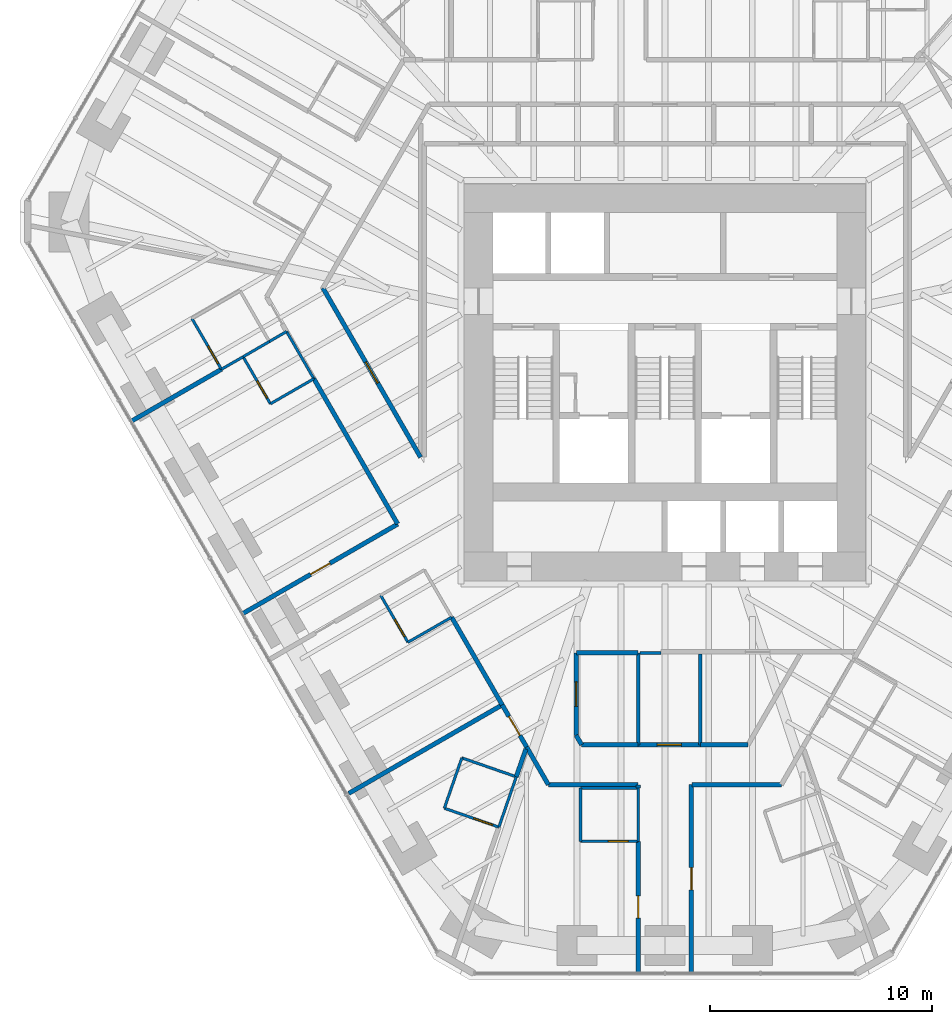
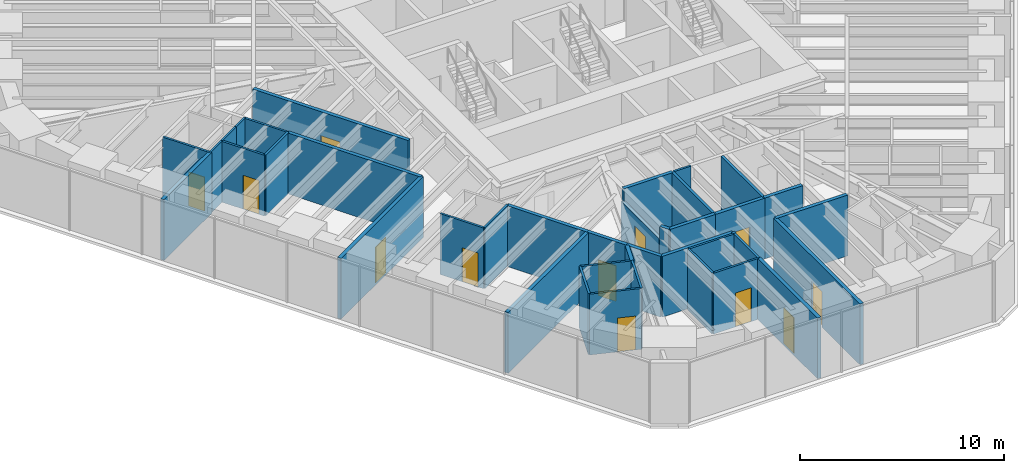
# One storey, part 11 of 17: 40 walls, 12 doors, 12 openings.
"""IFC4 building model written with IfcOpenShell, lengths in metres."""

from ifc_helpers import new_model, si_unit, direction, frame, frame_2d, origin, place, context, subcontext, project, spatial, rectangle, extrude, material, layer, layer_set, type_object, element, fill, save


model = new_model("IFC4")

# Units and contexts
model_context = context("Model", 3, precision=1e-05, world=origin(), true_north=direction((0.0, 1.0)))
body_context = subcontext(model_context, "Body", "Model", "MODEL_VIEW")
ifc_project = project(units=[si_unit("LENGTHUNIT", "METRE"), si_unit("AREAUNIT", "SQUARE_METRE"), si_unit("VOLUMEUNIT", "CUBIC_METRE"), si_unit("PLANEANGLEUNIT", "RADIAN"), si_unit("MASSUNIT", "GRAM", prefix="KILO")], contexts=[model_context])

# Site, building, storey
site_placement = place(None, origin())
site = spatial("IfcSite", under=ifc_project, at=site_placement, CompositionType="ELEMENT")
building_placement = place(site_placement, origin())
building = spatial("IfcBuilding", under=site, at=building_placement, Name="Sandreach Pilgrim Tower", CompositionType="ELEMENT")
storey_placement = place(building_placement, frame((0.0, 0.0, 104.39990234375)))
storey = spatial("IfcBuildingStorey", under=building, at=storey_placement, Name="L25", CompositionType="ELEMENT", Elevation=104.39990234375)

# Walls
ifc_material_1 = material(Name="Gypsum board on steel studs", Category="steel")
ifc_layer_1 = layer(ifc_material_1, 0.14990234375)
ifc_layer_set_1 = layer_set([ifc_layer_1], Name="Back of house wall 150")
wall_type_1 = type_object("IfcWallType", Name="Back of house wall 150", PredefinedType="PARTITIONING", material=ifc_layer_set_1)
wall_1_placement = place(storey_placement, frame((-1.199951171875, -13.75, 0.0), z_axis=(0.0, 0.0, 1.0), x_axis=(0.0, -1.0, 0.0)))
element("IfcWall", 1, at=wall_1_placement, inside=storey, type_object=wall_type_1, Name="Back of house wall L25-082", PredefinedType="PARTITIONING", context=body_context, shape_type="SweptSolid", body=[
    extrude(rectangle(XDim=4.139892578125, YDim=0.14990234375, at=frame_2d((2.06982421875, 0.0))), origin(), (0.0, 0.0, 1.0), 3.64013671875),
])
wall_2_placement = place(storey_placement, frame((1.60009765625, -13.800048828125, 0.0), z_axis=(0.0, 0.0, 1.0), x_axis=(0.0, -1.0, 0.0)))
element("IfcWall", 2, at=wall_2_placement, inside=storey, type_object=wall_type_1, Name="Back of house wall L25-088", PredefinedType="PARTITIONING", context=body_context, shape_type="SweptSolid", body=[
    extrude(rectangle(XDim=4.08984375, YDim=0.14990234375, at=frame_2d((2.044921875, 0.0))), origin(), (0.0, 0.0, 1.0), 3.64013671875),
])

# Wall, opening, door
ifc_material_2 = material(Name="Moisture-resistant gypsum board on steel studs", Category="steel")
ifc_layer_2 = layer(ifc_material_2, 0.1201171875)
ifc_layer_set_2 = layer_set([ifc_layer_2], Name="Bathroom partition 120")
wall_type_2 = type_object("IfcWallType", Name="Bathroom partition 120", PredefinedType="PARTITIONING", material=ifc_layer_set_2)
wall_3_placement = place(storey_placement, frame((-21.320068359375, 1.330078125, 0.0), z_axis=(0.0, 0.0, 1.0), x_axis=(0.502242265546, -0.864726954997, 0.0)))
wall_3 = element("IfcWall", 3, at=wall_3_placement, inside=storey, type_object=wall_type_2, Name="Bathroom partition L25-005", PredefinedType="PARTITIONING", context=body_context, shape_type="SweptSolid", body=[
    extrude(rectangle(XDim=2.648193359375, YDim=0.1201171875, at=frame_2d((1.32421875, 0.0))), origin(), (0.0, 0.0, 1.0), 3.64013671875),
])
opening_1_placement = place(wall_3_placement, frame((1.4482421875, 0.0, 0.0)))
opening_1 = element("IfcOpeningElement", 4, at=opening_1_placement, cuts=wall_3, Name="Opening D09-15B", PredefinedType="OPENING", context=body_context, shape_type="SweptSolid", body=[
    extrude(rectangle(XDim=0.89990234375, YDim=2.030029296875, at=frame_2d((0.449951171875, 1.01513671875))), frame((0.0, 0.06005859375, 0.0), z_axis=(0.0, -1.0, 0.0), x_axis=(1.0, 0.0, 0.0)), (0.0, 0.0, 1.0), 0.1201171875),
])
ifc_material_3 = material(Name="Timber door, steel frame", Category="steel")
door_type_1 = type_object("IfcDoorType", Name="Bathroom door", OperationType="SINGLE_SWING_LEFT", PredefinedType="DOOR", material=ifc_material_3)
door_1_placement = place(opening_1_placement, origin())
door_1 = element("IfcDoor", 5, at=door_1_placement, inside=storey, type_object=door_type_1, Name="Door 2515B", OperationType="SINGLE_SWING_RIGHT", OverallHeight=2.030029296875, OverallWidth=0.89990234375, PredefinedType="DOOR", context=body_context, shape_type="SweptSolid", body=[
    extrude(rectangle(XDim=0.89990234375, YDim=2.030029296875, at=frame_2d((0.449951171875, 1.01513671875))), frame((0.0, 0.02490234375, 0.0), z_axis=(0.0, -1.0, 0.0), x_axis=(1.0, 0.0, 0.0)), (0.0, 0.0, 1.0), 0.050048828125),
])
fill(opening_1, door_1)

# Walls
wall_4_placement = place(storey_placement, frame((-19.988037109375, -0.963623046875, 0.0), z_axis=(0.0, 0.0, 1.0), x_axis=(0.866387145727, 0.49937292049, 0.0)))
element("IfcWall", 6, at=wall_4_placement, inside=storey, type_object=wall_type_2, Name="Bathroom partition L25-006", PredefinedType="PARTITIONING", context=body_context, shape_type="SweptSolid", body=[
    extrude(rectangle(XDim=1.12890625, YDim=0.1201171875, at=frame_2d((0.564453125, 0.0))), origin(), (0.0, 0.0, 1.0), 3.64013671875),
])
wall_5_placement = place(storey_placement, frame((-19.010009765625, -0.39990234375, 0.0), z_axis=(0.0, 0.0, 1.0), x_axis=(0.864425960582, 0.502760140297, 0.0)))
element("IfcWall", 7, at=wall_5_placement, inside=storey, type_object=wall_type_2, Name="Bathroom partition L25-010", PredefinedType="PARTITIONING", context=body_context, shape_type="SweptSolid", body=[
    extrude(rectangle(XDim=1.366943359375, YDim=0.1201171875, at=frame_2d((0.68359375, 0.0))), origin(), (0.0, 0.0, 1.0), 3.64013671875),
])

# Wall, opening, door
wall_6_placement = place(storey_placement, frame((-19.010009765625, -0.39990234375, 0.0), z_axis=(0.0, 0.0, 1.0), x_axis=(0.501813488763, -0.864975850817, 0.0)))
wall_6 = element("IfcWall", 8, at=wall_6_placement, inside=storey, type_object=wall_type_2, Name="Bathroom partition L25-011", PredefinedType="PARTITIONING", context=body_context, shape_type="SweptSolid", body=[
    extrude(rectangle(XDim=2.451171875, YDim=0.1201171875, at=frame_2d((1.2255859375, 0.0))), origin(), (0.0, 0.0, 1.0), 3.64013671875),
])
opening_2_placement = place(wall_6_placement, frame((1.2509765625, 0.0, 0.0)))
opening_2 = element("IfcOpeningElement", 9, at=opening_2_placement, cuts=wall_6, Name="Opening D09-14B", PredefinedType="OPENING", context=body_context, shape_type="SweptSolid", body=[
    extrude(rectangle(XDim=0.89990234375, YDim=2.030029296875, at=frame_2d((0.449951171875, 1.01513671875))), frame((0.0, 0.06005859375, 0.0), z_axis=(0.0, -1.0, 0.0), x_axis=(1.0, 0.0, 0.0)), (0.0, 0.0, 1.0), 0.1201171875),
])
door_2_placement = place(opening_2_placement, origin())
door_2 = element("IfcDoor", 10, at=door_2_placement, inside=storey, type_object=door_type_1, Name="Door 2514B", OperationType="SINGLE_SWING_RIGHT", OverallHeight=2.030029296875, OverallWidth=0.89990234375, PredefinedType="DOOR", context=body_context, shape_type="SweptSolid", body=[
    extrude(rectangle(XDim=0.89990234375, YDim=2.030029296875, at=frame_2d((0.449951171875, 1.01513671875))), frame((0.0, 0.02490234375, 0.0), z_axis=(0.0, -1.0, 0.0), x_axis=(1.0, 0.0, 0.0)), (0.0, 0.0, 1.0), 0.050048828125),
])
fill(opening_2, door_2)

# Walls
wall_7_placement = place(storey_placement, frame((-17.828369140625, 0.287353515625, 0.0), z_axis=(0.0, 0.0, 1.0), x_axis=(0.864446899112, 0.502724137689, 0.0)))
element("IfcWall", 11, at=wall_7_placement, inside=storey, type_object=wall_type_2, Name="Bathroom partition L25-016", PredefinedType="PARTITIONING", context=body_context, shape_type="SweptSolid", body=[
    extrude(rectangle(XDim=0.900390625, YDim=0.1201171875, at=frame_2d((0.4501953125, 0.0))), origin(), (0.0, 0.0, 1.0), 3.64013671875),
])
wall_8_placement = place(storey_placement, frame((-17.780029296875, -2.52001953125, 0.0), z_axis=(0.0, 0.0, 1.0), x_axis=(0.866304131286, 0.49951691875, 0.0)))
element("IfcWall", 12, at=wall_8_placement, inside=storey, type_object=wall_type_2, Name="Bathroom partition L25-018", PredefinedType="PARTITIONING", context=body_context, shape_type="SweptSolid", body=[
    extrude(rectangle(XDim=2.262451171875, YDim=0.1201171875, at=frame_2d((1.13134765625, 0.0))), origin(), (0.0, 0.0, 1.0), 3.64013671875),
])
wall_9_placement = place(storey_placement, frame((-17.05029296875, 0.739990234375, 0.0), z_axis=(0.0, 0.0, 1.0), x_axis=(0.500163488538, -0.865930993055, 0.0)))
element("IfcWall", 13, at=wall_9_placement, inside=storey, type_object=wall_type_2, Name="Bathroom partition L25-022", PredefinedType="PARTITIONING", context=body_context, shape_type="SweptSolid", body=[
    extrude(rectangle(XDim=2.459716796875, YDim=0.1201171875, at=frame_2d((1.22998046875, 0.0))), origin(), (0.0, 0.0, 1.0), 3.64013671875),
])

# Wall, opening, door
wall_10_placement = place(storey_placement, frame((-12.81005859375, -11.14990234375, 0.0), z_axis=(0.0, 0.0, 1.0), x_axis=(0.501813488763, -0.864975850817, 0.0)))
wall_10 = element("IfcWall", 14, at=wall_10_placement, inside=storey, type_object=wall_type_2, Name="Bathroom partition L25-032", PredefinedType="PARTITIONING", context=body_context, shape_type="SweptSolid", body=[
    extrude(rectangle(XDim=2.451171875, YDim=0.1201171875, at=frame_2d((1.2255859375, 0.0))), origin(), (0.0, 0.0, 1.0), 3.64013671875),
])
opening_3_placement = place(wall_10_placement, frame((1.2509765625, 0.0, 0.0)))
opening_3 = element("IfcOpeningElement", 15, at=opening_3_placement, cuts=wall_10, Name="Opening D09-13B", PredefinedType="OPENING", context=body_context, shape_type="SweptSolid", body=[
    extrude(rectangle(XDim=0.89990234375, YDim=2.030029296875, at=frame_2d((0.449951171875, 1.01513671875))), frame((0.0, 0.06005859375, 0.0), z_axis=(0.0, -1.0, 0.0), x_axis=(1.0, 0.0, 0.0)), (0.0, 0.0, 1.0), 0.1201171875),
])
door_3_placement = place(opening_3_placement, origin())
door_3 = element("IfcDoor", 16, at=door_3_placement, inside=storey, type_object=door_type_1, Name="Door 2513B", OperationType="SINGLE_SWING_RIGHT", OverallHeight=2.030029296875, OverallWidth=0.89990234375, PredefinedType="DOOR", context=body_context, shape_type="SweptSolid", body=[
    extrude(rectangle(XDim=0.89990234375, YDim=2.030029296875, at=frame_2d((0.449951171875, 1.01513671875))), frame((0.0, 0.02490234375, 0.0), z_axis=(0.0, -1.0, 0.0), x_axis=(1.0, 0.0, 0.0)), (0.0, 0.0, 1.0), 0.050048828125),
])
fill(opening_3, door_3)

# Wall
wall_11_placement = place(storey_placement, frame((-11.580078125, -13.27001953125, 0.0), z_axis=(0.0, 0.0, 1.0), x_axis=(0.867428373024, 0.497562074192, 0.0)))
element("IfcWall", 17, at=wall_11_placement, inside=storey, type_object=wall_type_2, Name="Bathroom partition L25-039", PredefinedType="PARTITIONING", context=body_context, shape_type="SweptSolid", body=[
    extrude(rectangle(XDim=2.271240234375, YDim=0.1201171875, at=frame_2d((1.1357421875, 0.0))), origin(), (0.0, 0.0, 1.0), 3.64013671875),
])

# Wall, opening, door
wall_12_placement = place(storey_placement, frame((-9.93994140625, -20.75, 0.0), z_axis=(0.0, 0.0, 1.0), x_axis=(0.94515546045, -0.326620813149, 0.0)))
wall_12 = element("IfcWall", 18, at=wall_12_placement, inside=storey, type_object=wall_type_2, Name="Bathroom partition L25-048", PredefinedType="PARTITIONING", context=body_context, shape_type="SweptSolid", body=[
    extrude(rectangle(XDim=2.602783203125, YDim=0.1201171875, at=frame_2d((1.30126953125, 0.0))), origin(), (0.0, 0.0, 1.0), 3.64013671875),
])
opening_4_placement = place(wall_12_placement, frame((1.402587890625, 0.0, 0.0)))
opening_4 = element("IfcOpeningElement", 19, at=opening_4_placement, cuts=wall_12, Name="Opening D09-12B", PredefinedType="OPENING", context=body_context, shape_type="SweptSolid", body=[
    extrude(rectangle(XDim=0.89990234375, YDim=2.030029296875, at=frame_2d((0.449951171875, 1.01513671875))), frame((0.0, 0.06005859375, 0.0), z_axis=(0.0, -1.0, 0.0), x_axis=(1.0, 0.0, 0.0)), (0.0, 0.0, 1.0), 0.1201171875),
])
door_4_placement = place(opening_4_placement, origin())
door_4 = element("IfcDoor", 20, at=door_4_placement, inside=storey, type_object=door_type_1, Name="Door 2512B", OperationType="SINGLE_SWING_RIGHT", OverallHeight=2.030029296875, OverallWidth=0.89990234375, PredefinedType="DOOR", context=body_context, shape_type="SweptSolid", body=[
    extrude(rectangle(XDim=0.89990234375, YDim=2.030029296875, at=frame_2d((0.449951171875, 1.01513671875))), frame((0.0, 0.02490234375, 0.0), z_axis=(0.0, -1.0, 0.0), x_axis=(1.0, 0.0, 0.0)), (0.0, 0.0, 1.0), 0.050048828125),
])
fill(opening_4, door_4)

# Walls
wall_13_placement = place(storey_placement, frame((-9.14990234375, -18.47998046875, 0.0), z_axis=(0.0, 0.0, 1.0), x_axis=(-0.328693963496, -0.944436487203, 0.0)))
element("IfcWall", 21, at=wall_13_placement, inside=storey, type_object=wall_type_2, Name="Bathroom partition L25-053", PredefinedType="PARTITIONING", context=body_context, shape_type="SweptSolid", body=[
    extrude(rectangle(XDim=2.403564453125, YDim=0.1201171875, at=frame_2d((1.20166015625, 0.0))), origin(), (0.0, 0.0, 1.0), 3.64013671875),
])
wall_14_placement = place(storey_placement, frame((-7.47998046875, -21.60009765625, 0.0), z_axis=(0.0, 0.0, 1.0), x_axis=(0.326492166492, 0.945199907543, 0.0)))
element("IfcWall", 22, at=wall_14_placement, inside=storey, type_object=wall_type_2, Name="Bathroom partition L25-054", PredefinedType="PARTITIONING", context=body_context, shape_type="SweptSolid", body=[
    extrude(rectangle(XDim=2.400390625, YDim=0.1201171875, at=frame_2d((1.2001953125, 0.0))), origin(), (0.0, 0.0, 1.0), 3.64013671875),
])
wall_15_placement = place(storey_placement, frame((-6.699951171875, -19.330078125, 0.0), z_axis=(0.0, 0.0, 1.0), x_axis=(-0.944753042377, 0.327782990589, 0.0)))
element("IfcWall", 23, at=wall_15_placement, inside=storey, type_object=wall_type_2, Name="Bathroom partition L25-056", PredefinedType="PARTITIONING", context=body_context, shape_type="SweptSolid", body=[
    extrude(rectangle(XDim=2.593505859375, YDim=0.1201171875, at=frame_2d((1.296875, 0.0))), origin(), (0.0, 0.0, 1.0), 3.64013671875),
])

# Wall, opening, door
wall_16_placement = place(storey_placement, frame((-3.800048828125, -22.239990234375, 0.0), z_axis=(0.0, 0.0, 1.0), x_axis=(1.0, 0.0, 0.0)))
wall_16 = element("IfcWall", 24, at=wall_16_placement, inside=storey, type_object=wall_type_2, Name="Bathroom partition L25-067", PredefinedType="PARTITIONING", context=body_context, shape_type="SweptSolid", body=[
    extrude(rectangle(XDim=2.60009765625, YDim=0.1201171875, at=frame_2d((1.300048828125, 0.0))), origin(), (0.0, 0.0, 1.0), 3.64013671875),
])
opening_5_placement = place(wall_16_placement, frame((1.25, 0.0, 0.0)))
opening_5 = element("IfcOpeningElement", 25, at=opening_5_placement, cuts=wall_16, Name="Opening D09-11B", PredefinedType="OPENING", context=body_context, shape_type="SweptSolid", body=[
    extrude(rectangle(XDim=0.89990234375, YDim=2.030029296875, at=frame_2d((0.449951171875, 1.01513671875))), frame((0.0, 0.06005859375, 0.0), z_axis=(0.0, -1.0, 0.0), x_axis=(1.0, 0.0, 0.0)), (0.0, 0.0, 1.0), 0.1201171875),
])
door_5_placement = place(opening_5_placement, origin())
door_5 = element("IfcDoor", 26, at=door_5_placement, inside=storey, type_object=door_type_1, Name="Door 2511B", OperationType="SINGLE_SWING_RIGHT", OverallHeight=2.030029296875, OverallWidth=0.89990234375, PredefinedType="DOOR", context=body_context, shape_type="SweptSolid", body=[
    extrude(rectangle(XDim=0.89990234375, YDim=2.030029296875, at=frame_2d((0.449951171875, 1.01513671875))), frame((0.0, 0.02490234375, 0.0), z_axis=(0.0, -1.0, 0.0), x_axis=(1.0, 0.0, 0.0)), (0.0, 0.0, 1.0), 0.050048828125),
])
fill(opening_5, door_5)

# Walls
wall_17_placement = place(storey_placement, frame((-3.800048828125, -19.840087890625, 0.0), z_axis=(0.0, 0.0, 1.0), x_axis=(0.0, -1.0, 0.0)))
element("IfcWall", 27, at=wall_17_placement, inside=storey, type_object=wall_type_2, Name="Bathroom partition L25-068", PredefinedType="PARTITIONING", context=body_context, shape_type="SweptSolid", body=[
    extrude(rectangle(XDim=2.39990234375, YDim=0.1201171875, at=frame_2d((1.199951171875, 0.0))), origin(), (0.0, 0.0, 1.0), 3.64013671875),
])
wall_18_placement = place(storey_placement, frame((-1.199951171875, -19.840087890625, 0.0), z_axis=(0.0, 0.0, 1.0), x_axis=(-1.0, 0.0, 0.0)))
element("IfcWall", 28, at=wall_18_placement, inside=storey, type_object=wall_type_2, Name="Bathroom partition L25-078", PredefinedType="PARTITIONING", context=body_context, shape_type="SweptSolid", body=[
    extrude(rectangle(XDim=2.60009765625, YDim=0.1201171875, at=frame_2d((1.300048828125, 0.0))), origin(), (0.0, 0.0, 1.0), 3.64013671875),
])
wall_19_placement = place(storey_placement, frame((-1.199951171875, -19.840087890625, 0.0), z_axis=(0.0, 0.0, 1.0), x_axis=(0.0, -1.0, 0.0)))
element("IfcWall", 29, at=wall_19_placement, inside=storey, type_object=wall_type_2, Name="Bathroom partition L25-079", PredefinedType="PARTITIONING", context=body_context, shape_type="SweptSolid", body=[
    extrude(rectangle(XDim=2.39990234375, YDim=0.1201171875, at=frame_2d((1.199951171875, 0.0))), origin(), (0.0, 0.0, 1.0), 3.64013671875),
])
wall_20_placement = place(storey_placement, frame((-1.125, -13.75, 0.0), z_axis=(0.0, 0.0, 1.0), x_axis=(1.0, 0.0, 0.0)))
element("IfcWall", 30, at=wall_20_placement, inside=storey, type_object=wall_type_2, Name="Bathroom partition L25-083", PredefinedType="PARTITIONING", context=body_context, shape_type="SweptSolid", body=[
    extrude(rectangle(XDim=0.955078125, YDim=0.1201171875, at=frame_2d((0.4775390625, 0.0))), origin(), (0.0, 0.0, 1.0), 3.64013671875),
])

# Wall, opening, door
ifc_material_4 = material(Name="Gypsum board on steel studs, two layers each side", Category="steel")
ifc_layer_3 = layer(ifc_material_4, 0.199951171875)
ifc_layer_set_3 = layer_set([ifc_layer_3], Name="Corridor wall 200")
wall_type_3 = type_object("IfcWallType", Name="Corridor wall 200", PredefinedType="PARTITIONING", material=ifc_layer_set_3)
wall_21_placement = place(storey_placement, frame((-19.02392578125, -11.97509765625, 0.0), z_axis=(0.0, 0.0, 1.0), x_axis=(0.865863907772, 0.500279615034, 0.0)))
wall_21 = element("IfcWall", 31, at=wall_21_placement, inside=storey, type_object=wall_type_3, Name="Corridor wall L25-009", PredefinedType="PARTITIONING", context=body_context, shape_type="SweptSolid", body=[
    extrude(rectangle(XDim=8.06591796875, YDim=0.199951171875, at=frame_2d((4.032958984375, 0.0))), origin(), (0.0, 0.0, 1.0), 3.64013671875),
])
opening_6_placement = place(wall_21_placement, frame((3.532958984375, 0.0, 0.0)))
opening_6 = element("IfcOpeningElement", 32, at=opening_6_placement, cuts=wall_21, Name="Opening D10-14", PredefinedType="OPENING", context=body_context, shape_type="SweptSolid", body=[
    extrude(rectangle(XDim=1.0, YDim=2.1298828125, at=frame_2d((0.5, 1.06494140625))), frame((0.0, 0.10009765625, 0.0), z_axis=(0.0, -1.0, 0.0), x_axis=(1.0, 0.0, 0.0)), (0.0, 0.0, 1.0), 0.199951171875),
])
ifc_material_5 = material(Name="Steel door and frame", Category="steel")
door_type_2 = type_object("IfcDoorType", Name="Guest room entry door", OperationType="SINGLE_SWING_LEFT", PredefinedType="DOOR", material=ifc_material_5)
door_6_placement = place(opening_6_placement, origin())
door_6 = element("IfcDoor", 33, at=door_6_placement, inside=storey, type_object=door_type_2, Name="Door 2514", OperationType="SINGLE_SWING_LEFT", OverallHeight=2.1298828125, OverallWidth=1.0, PredefinedType="DOOR", context=body_context, shape_type="SweptSolid", body=[
    extrude(rectangle(XDim=1.0, YDim=2.1298828125, at=frame_2d((0.5, 1.06494140625))), frame((0.0, 0.02490234375, 0.0), z_axis=(0.0, -1.0, 0.0), x_axis=(1.0, 0.0, 0.0)), (0.0, 0.0, 1.0), 0.050048828125),
])
fill(opening_6, door_6)

# Wall
wall_22_placement = place(storey_placement, frame((-15.820068359375, -1.389892578125, 0.0), z_axis=(0.0, 0.0, 1.0), x_axis=(0.499851259758, -0.866111261974, 0.0)))
element("IfcWall", 34, at=wall_22_placement, inside=storey, type_object=wall_type_3, Name="Corridor wall L25-025", PredefinedType="PARTITIONING", context=body_context, shape_type="SweptSolid", body=[
    extrude(rectangle(XDim=7.547607421875, YDim=0.199951171875, at=frame_2d((3.77392578125, 0.0))), origin(), (0.0, 0.0, 1.0), 3.64013671875),
])

# Wall, opening, door
wall_23_placement = place(storey_placement, frame((-11.010009765625, -4.929931640625, 0.0), z_axis=(0.0, 0.0, 1.0), x_axis=(-0.499556067326, 0.866281556769, 0.0)))
wall_23 = element("IfcWall", 35, at=wall_23_placement, inside=storey, type_object=wall_type_3, Name="Corridor wall L25-041", PredefinedType="PARTITIONING", context=body_context, shape_type="SweptSolid", body=[
    extrude(rectangle(XDim=8.8076171875, YDim=0.199951171875, at=frame_2d((4.40380859375, 0.0))), origin(), (0.0, 0.0, 1.0), 3.64013671875),
])
opening_7_placement = place(wall_23_placement, frame((3.85400390625, 0.0, 0.0)))
opening_7 = element("IfcOpeningElement", 36, at=opening_7_placement, cuts=wall_23, Name="Opening D11H-M01", PredefinedType="OPENING", context=body_context, shape_type="SweptSolid", body=[
    extrude(rectangle(XDim=1.10009765625, YDim=2.199951171875, at=frame_2d((0.550048828125, 1.10009765625))), frame((0.0, 0.10009765625, 0.0), z_axis=(0.0, -1.0, 0.0), x_axis=(1.0, 0.0, 0.0)), (0.0, 0.0, 1.0), 0.199951171875),
])
ifc_material_6 = material(Name="Steel door and frame", Category="steel")
door_type_3 = type_object("IfcDoorType", Name="Back of house door", OperationType="SINGLE_SWING_LEFT", PredefinedType="DOOR", material=ifc_material_6)
door_7_placement = place(opening_7_placement, origin())
door_7 = element("IfcDoor", 37, at=door_7_placement, inside=storey, type_object=door_type_3, Name="Door 25M01", OperationType="SINGLE_SWING_LEFT", OverallHeight=2.199951171875, OverallWidth=1.10009765625, PredefinedType="DOOR", context=body_context, shape_type="SweptSolid", body=[
    extrude(rectangle(XDim=1.10009765625, YDim=2.199951171875, at=frame_2d((0.550048828125, 1.10009765625))), frame((0.0, 0.02490234375, 0.0), z_axis=(0.0, -1.0, 0.0), x_axis=(1.0, 0.0, 0.0)), (0.0, 0.0, 1.0), 0.050048828125),
])
fill(opening_7, door_7)

# Wall
wall_24_placement = place(storey_placement, frame((-9.610107421875, -12.139892578125, 0.0), z_axis=(0.0, 0.0, 1.0), x_axis=(0.499898533245, -0.866083977718, 0.0)))
element("IfcWall", 38, at=wall_24_placement, inside=storey, type_object=wall_type_3, Name="Corridor wall L25-051", PredefinedType="PARTITIONING", context=body_context, shape_type="SweptSolid", body=[
    extrude(rectangle(XDim=4.56103515625, YDim=0.199951171875, at=frame_2d((2.280517578125, 0.0))), origin(), (0.0, 0.0, 1.0), 3.64013671875),
])

# Wall, opening, door
wall_25_placement = place(storey_placement, frame((-7.3310546875, -16.090576171875, 0.0), z_axis=(0.0, 0.0, 1.0), x_axis=(0.501518373175, -0.865146994081, 0.0)))
wall_25 = element("IfcWall", 39, at=wall_25_placement, inside=storey, type_object=wall_type_3, Name="Corridor wall L25-055", PredefinedType="PARTITIONING", context=body_context, shape_type="SweptSolid", body=[
    extrude(rectangle(XDim=2.195556640625, YDim=0.199951171875, at=frame_2d((1.09765625, 0.0))), origin(), (0.0, 0.0, 1.0), 3.64013671875),
])
opening_8_placement = place(wall_25_placement, frame((0.59765625, 0.0, 0.0)))
opening_8 = element("IfcOpeningElement", 40, at=opening_8_placement, cuts=wall_25, Name="Opening D10-12", PredefinedType="OPENING", context=body_context, shape_type="SweptSolid", body=[
    extrude(rectangle(XDim=1.0, YDim=2.1298828125, at=frame_2d((0.5, 1.06494140625))), frame((0.0, 0.10009765625, 0.0), z_axis=(0.0, -1.0, 0.0), x_axis=(1.0, 0.0, 0.0)), (0.0, 0.0, 1.0), 0.199951171875),
])
door_8_placement = place(opening_8_placement, origin())
door_8 = element("IfcDoor", 41, at=door_8_placement, inside=storey, type_object=door_type_2, Name="Door 2512", OperationType="SINGLE_SWING_LEFT", OverallHeight=2.1298828125, OverallWidth=1.0, PredefinedType="DOOR", context=body_context, shape_type="SweptSolid", body=[
    extrude(rectangle(XDim=1.0, YDim=2.1298828125, at=frame_2d((0.5, 1.06494140625))), frame((0.0, 0.02490234375, 0.0), z_axis=(0.0, -1.0, 0.0), x_axis=(1.0, 0.0, 0.0)), (0.0, 0.0, 1.0), 0.050048828125),
])
fill(opening_8, door_8)

# Walls
wall_26_placement = place(storey_placement, frame((-6.22998046875, -17.989990234375, 0.0), z_axis=(0.0, 0.0, 1.0), x_axis=(0.499431599995, -0.866353321068, 0.0)))
element("IfcWall", 42, at=wall_26_placement, inside=storey, type_object=wall_type_3, Name="Corridor wall L25-061", PredefinedType="PARTITIONING", context=body_context, shape_type="SweptSolid", body=[
    extrude(rectangle(XDim=1.962158203125, YDim=0.199951171875, at=frame_2d((0.98095703125, 0.0))), origin(), (0.0, 0.0, 1.0), 3.64013671875),
])
wall_27_placement = place(storey_placement, frame((-5.25, -19.68994140625, 0.0), z_axis=(0.0, 0.0, 1.0), x_axis=(1.0, 0.0, 0.0)))
element("IfcWall", 43, at=wall_27_placement, inside=storey, type_object=wall_type_3, Name="Corridor wall L25-064", PredefinedType="PARTITIONING", context=body_context, shape_type="SweptSolid", body=[
    extrude(rectangle(XDim=4.050048828125, YDim=0.199951171875, at=frame_2d((2.02490234375, 0.0))), origin(), (0.0, 0.0, 1.0), 3.64013671875),
])

# Wall, opening, door
wall_28_placement = place(storey_placement, frame((-4.0, -17.4599609375, 0.0), z_axis=(0.0, 0.0, 1.0), x_axis=(0.0, 1.0, 0.0)))
wall_28 = element("IfcWall", 44, at=wall_28_placement, inside=storey, type_object=wall_type_3, Name="Corridor wall L25-065", PredefinedType="PARTITIONING", context=body_context, shape_type="SweptSolid", body=[
    extrude(rectangle(XDim=3.7099609375, YDim=0.199951171875, at=frame_2d((1.85498046875, 0.0))), origin(), (0.0, 0.0, 1.0), 2.878173828125),
])
opening_9_placement = place(wall_28_placement, frame((1.304931640625, 0.0, 0.0)))
opening_9 = element("IfcOpeningElement", 45, at=opening_9_placement, cuts=wall_28, Name="Opening D11H-S2", PredefinedType="OPENING", context=body_context, shape_type="SweptSolid", body=[
    extrude(rectangle(XDim=1.10009765625, YDim=2.199951171875, at=frame_2d((0.550048828125, 1.10009765625))), frame((0.0, 0.10009765625, 0.0), z_axis=(0.0, -1.0, 0.0), x_axis=(1.0, 0.0, 0.0)), (0.0, 0.0, 1.0), 0.199951171875),
])
door_9_placement = place(opening_9_placement, origin())
door_9 = element("IfcDoor", 46, at=door_9_placement, inside=storey, type_object=door_type_3, Name="Door 25S2", OperationType="SINGLE_SWING_LEFT", OverallHeight=2.199951171875, OverallWidth=1.10009765625, PredefinedType="DOOR", context=body_context, shape_type="SweptSolid", body=[
    extrude(rectangle(XDim=1.10009765625, YDim=2.199951171875, at=frame_2d((0.550048828125, 1.10009765625))), frame((0.0, 0.02490234375, 0.0), z_axis=(0.0, -1.0, 0.0), x_axis=(1.0, 0.0, 0.0)), (0.0, 0.0, 1.0), 0.050048828125),
])
fill(opening_9, door_9)

# Walls
wall_29_placement = place(storey_placement, frame((-3.989990234375, -13.75, 0.0), z_axis=(0.0, 0.0, 1.0), x_axis=(1.0, 0.0, 0.0)))
element("IfcWall", 47, at=wall_29_placement, inside=storey, type_object=wall_type_3, Name="Corridor wall L25-066", PredefinedType="PARTITIONING", context=body_context, shape_type="SweptSolid", body=[
    extrude(rectangle(XDim=2.7900390625, YDim=0.199951171875, at=frame_2d((1.39501953125, 0.0))), origin(), (0.0, 0.0, 1.0), 3.64013671875),
])
wall_30_placement = place(storey_placement, frame((-3.75, -17.889892578125, 0.0), z_axis=(0.0, 0.0, 1.0), x_axis=(-0.502680181512, 0.864472460588, 0.0)))
element("IfcWall", 48, at=wall_30_placement, inside=storey, type_object=wall_type_3, Name="Corridor wall L25-069", PredefinedType="PARTITIONING", context=body_context, shape_type="SweptSolid", body=[
    extrude(rectangle(XDim=0.497314453125, YDim=0.199951171875, at=frame_2d((0.24853515625, 0.0))), origin(), (0.0, 0.0, 1.0), 3.64013671875),
])

# Wall, opening, door
wall_31_placement = place(storey_placement, frame((-1.199951171875, -22.239990234375, 0.0), z_axis=(0.0, 0.0, 1.0), x_axis=(0.0, -1.0, 0.0)))
wall_31 = element("IfcWall", 49, at=wall_31_placement, inside=storey, type_object=wall_type_3, Name="Corridor wall L25-077", PredefinedType="PARTITIONING", context=body_context, shape_type="SweptSolid", body=[
    extrude(rectangle(XDim=5.919921875, YDim=0.199951171875, at=frame_2d((2.9599609375, 0.0))), origin(), (0.0, 0.0, 1.0), 3.64013671875),
])
opening_10_placement = place(wall_31_placement, frame((2.4599609375, 0.0, 0.0)))
opening_10 = element("IfcOpeningElement", 50, at=opening_10_placement, cuts=wall_31, Name="Opening D10-11", PredefinedType="OPENING", context=body_context, shape_type="SweptSolid", body=[
    extrude(rectangle(XDim=1.0, YDim=2.1298828125, at=frame_2d((0.5, 1.06494140625))), frame((0.0, 0.10009765625, 0.0), z_axis=(0.0, -1.0, 0.0), x_axis=(1.0, 0.0, 0.0)), (0.0, 0.0, 1.0), 0.199951171875),
])
door_10_placement = place(opening_10_placement, origin())
door_10 = element("IfcDoor", 51, at=door_10_placement, inside=storey, type_object=door_type_2, Name="Door 2511", OperationType="SINGLE_SWING_LEFT", OverallHeight=2.1298828125, OverallWidth=1.0, PredefinedType="DOOR", context=body_context, shape_type="SweptSolid", body=[
    extrude(rectangle(XDim=1.0, YDim=2.1298828125, at=frame_2d((0.5, 1.06494140625))), frame((0.0, 0.02490234375, 0.0), z_axis=(0.0, -1.0, 0.0), x_axis=(1.0, 0.0, 0.0)), (0.0, 0.0, 1.0), 0.050048828125),
])
fill(opening_10, door_10)

# Walls
wall_32_placement = place(storey_placement, frame((-1.199951171875, -19.699951171875, 0.0), z_axis=(0.0, 0.0, 1.0), x_axis=(0.0, -1.0, 0.0)))
element("IfcWall", 52, at=wall_32_placement, inside=storey, type_object=wall_type_3, Name="Corridor wall L25-080", PredefinedType="PARTITIONING", context=body_context, shape_type="SweptSolid", body=[
    extrude(rectangle(XDim=0.14013671875, YDim=0.199951171875, at=frame_2d((0.070068359375, 0.0))), origin(), (0.0, 0.0, 1.0), 3.64013671875),
])
wall_33_placement = place(storey_placement, frame((-1.199951171875, -17.889892578125, 0.0), z_axis=(0.0, 0.0, 1.0), x_axis=(-1.0, 0.0, 0.0)))
element("IfcWall", 53, at=wall_33_placement, inside=storey, type_object=wall_type_3, Name="Corridor wall L25-081", PredefinedType="PARTITIONING", context=body_context, shape_type="SweptSolid", body=[
    extrude(rectangle(XDim=2.550048828125, YDim=0.199951171875, at=frame_2d((1.27490234375, 0.0))), origin(), (0.0, 0.0, 1.0), 3.64013671875),
])

# Wall, opening, door
wall_34_placement = place(storey_placement, frame((1.199951171875, -28.159912109375, 0.0), z_axis=(0.0, 0.0, 1.0), x_axis=(0.0, 1.0, 0.0)))
wall_34 = element("IfcWall", 54, at=wall_34_placement, inside=storey, type_object=wall_type_3, Name="Corridor wall L25-085", PredefinedType="PARTITIONING", context=body_context, shape_type="SweptSolid", body=[
    extrude(rectangle(XDim=8.469970703125, YDim=0.199951171875, at=frame_2d((4.23486328125, 0.0))), origin(), (0.0, 0.0, 1.0), 3.64013671875),
])
opening_11_placement = place(wall_34_placement, frame((3.735107421875, 0.0, 0.0)))
opening_11 = element("IfcOpeningElement", 55, at=opening_11_placement, cuts=wall_34, Name="Opening D10-10", PredefinedType="OPENING", context=body_context, shape_type="SweptSolid", body=[
    extrude(rectangle(XDim=1.0, YDim=2.1298828125, at=frame_2d((0.5, 1.06494140625))), frame((0.0, 0.10009765625, 0.0), z_axis=(0.0, -1.0, 0.0), x_axis=(1.0, 0.0, 0.0)), (0.0, 0.0, 1.0), 0.199951171875),
])
door_11_placement = place(opening_11_placement, origin())
door_11 = element("IfcDoor", 56, at=door_11_placement, inside=storey, type_object=door_type_2, Name="Door 2510", OperationType="SINGLE_SWING_LEFT", OverallHeight=2.1298828125, OverallWidth=1.0, PredefinedType="DOOR", context=body_context, shape_type="SweptSolid", body=[
    extrude(rectangle(XDim=1.0, YDim=2.1298828125, at=frame_2d((0.5, 1.06494140625))), frame((0.0, 0.02490234375, 0.0), z_axis=(0.0, -1.0, 0.0), x_axis=(1.0, 0.0, 0.0)), (0.0, 0.0, 1.0), 0.050048828125),
])
fill(opening_11, door_11)

# Wall
wall_35_placement = place(storey_placement, frame((1.215087890625, -19.68994140625, 0.0), z_axis=(0.0, 0.0, 1.0), x_axis=(1.0, 0.0, 0.0)))
element("IfcWall", 57, at=wall_35_placement, inside=storey, type_object=wall_type_3, Name="Corridor wall L25-086", PredefinedType="PARTITIONING", context=body_context, shape_type="SweptSolid", body=[
    extrude(rectangle(XDim=4.034912109375, YDim=0.199951171875, at=frame_2d((2.017578125, 0.0))), origin(), (0.0, 0.0, 1.0), 3.64013671875),
])

# Wall, opening, door
wall_36_placement = place(storey_placement, frame((1.60009765625, -17.889892578125, 0.0), z_axis=(0.0, 0.0, 1.0), x_axis=(-1.0, 0.0, 0.0)))
wall_36 = element("IfcWall", 58, at=wall_36_placement, inside=storey, type_object=wall_type_3, Name="Corridor wall L25-087", PredefinedType="PARTITIONING", context=body_context, shape_type="SweptSolid", body=[
    extrude(rectangle(XDim=2.800048828125, YDim=0.199951171875, at=frame_2d((1.39990234375, 0.0))), origin(), (0.0, 0.0, 1.0), 3.64013671875),
])
opening_12_placement = place(wall_36_placement, frame((0.85009765625, 0.0, 0.0)))
opening_12 = element("IfcOpeningElement", 59, at=opening_12_placement, cuts=wall_36, Name="Opening D11H-S3", PredefinedType="OPENING", context=body_context, shape_type="SweptSolid", body=[
    extrude(rectangle(XDim=1.10009765625, YDim=2.199951171875, at=frame_2d((0.550048828125, 1.10009765625))), frame((0.0, 0.10009765625, 0.0), z_axis=(0.0, -1.0, 0.0), x_axis=(1.0, 0.0, 0.0)), (0.0, 0.0, 1.0), 0.199951171875),
])
door_12_placement = place(opening_12_placement, origin())
door_12 = element("IfcDoor", 60, at=door_12_placement, inside=storey, type_object=door_type_3, Name="Door 25S3", OperationType="SINGLE_SWING_LEFT", OverallHeight=2.199951171875, OverallWidth=1.10009765625, PredefinedType="DOOR", context=body_context, shape_type="SweptSolid", body=[
    extrude(rectangle(XDim=1.10009765625, YDim=2.199951171875, at=frame_2d((0.550048828125, 1.10009765625))), frame((0.0, 0.02490234375, 0.0), z_axis=(0.0, -1.0, 0.0), x_axis=(1.0, 0.0, 0.0)), (0.0, 0.0, 1.0), 0.050048828125),
])
fill(opening_12, door_12)

# Walls
wall_37_placement = place(storey_placement, frame((3.75, -17.889892578125, 0.0), z_axis=(0.0, 0.0, 1.0), x_axis=(-1.0, 0.0, 0.0)))
element("IfcWall", 61, at=wall_37_placement, inside=storey, type_object=wall_type_3, Name="Corridor wall L25-092", PredefinedType="PARTITIONING", context=body_context, shape_type="SweptSolid", body=[
    extrude(rectangle(XDim=2.14990234375, YDim=0.199951171875, at=frame_2d((1.074951171875, 0.0))), origin(), (0.0, 0.0, 1.0), 3.64013671875),
])
ifc_material_7 = material(Name="Double steel stud acoustic wall, gypsum board", Category="steel")
ifc_layer_4 = layer(ifc_material_7, 0.199951171875)
ifc_layer_set_4 = layer_set([ifc_layer_4], Name="Party wall 200")
wall_type_4 = type_object("IfcWallType", Name="Party wall 200", PredefinedType="PARTITIONING", material=ifc_layer_set_4)
wall_38_placement = place(storey_placement, frame((-24.033935546875, -3.294921875, 0.0), z_axis=(0.0, 0.0, 1.0), x_axis=(0.866451815884, 0.499260704193, 0.0)))
element("IfcWall", 62, at=wall_38_placement, inside=storey, type_object=wall_type_4, Name="Party wall L25-003", PredefinedType="PARTITIONING", context=body_context, shape_type="SweptSolid", body=[
    extrude(rectangle(XDim=4.66943359375, YDim=0.199951171875, at=frame_2d((2.334716796875, 0.0))), origin(), (0.0, 0.0, 1.0), 3.64013671875),
])
wall_39_placement = place(storey_placement, frame((-14.24609375, -20.080078125, 0.0), z_axis=(0.0, 0.0, 1.0), x_axis=(0.866178955952, 0.49973394548, 0.0)))
element("IfcWall", 63, at=wall_39_placement, inside=storey, type_object=wall_type_4, Name="Party wall L25-029", PredefinedType="PARTITIONING", context=body_context, shape_type="SweptSolid", body=[
    extrude(rectangle(XDim=7.969482421875, YDim=0.199951171875, at=frame_2d((3.98486328125, 0.0))), origin(), (0.0, 0.0, 1.0), 3.64013671875),
])
wall_40_placement = place(storey_placement, frame((-6.6962890625, -19.331298828125, 0.0), z_axis=(0.0, 0.0, 1.0), x_axis=(0.328298231075, 0.944574121746, 0.0)))
element("IfcWall", 64, at=wall_40_placement, inside=storey, type_object=wall_type_4, Name="Party wall L25-057", PredefinedType="PARTITIONING", context=body_context, shape_type="SweptSolid", body=[
    extrude(rectangle(XDim=1.320068359375, YDim=0.199951171875, at=frame_2d((0.66015625, 0.0))), origin(), (0.0, 0.0, 1.0), 3.64013671875),
])

save(model, "model.ifc")
